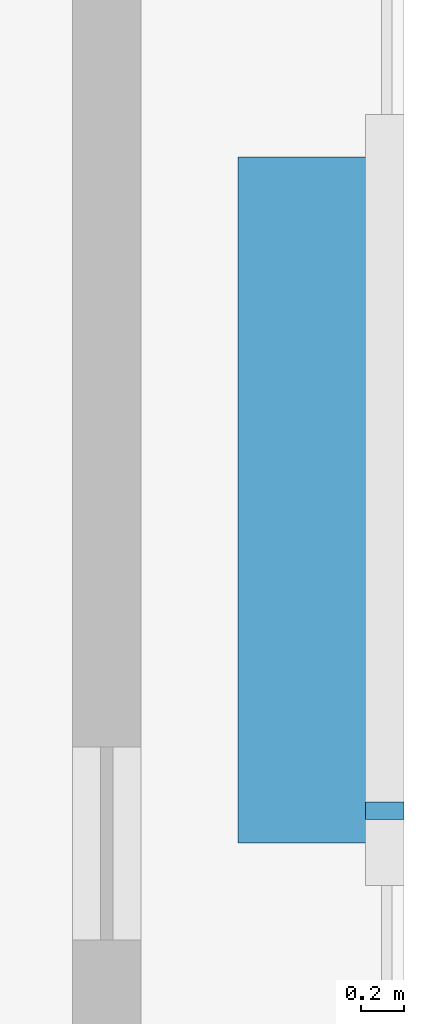
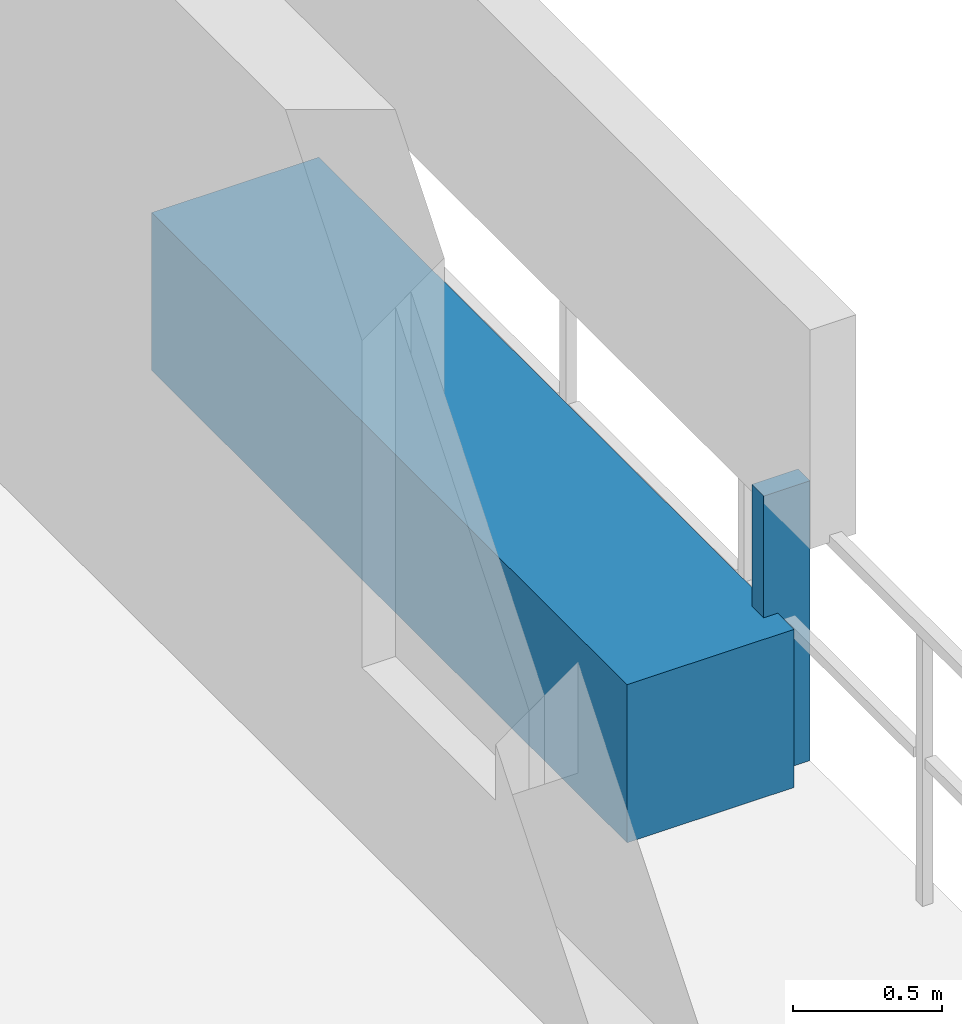
# One storey, part 31 of 35: 2 discrete accessories.
"""IFC4 building model written with IfcOpenShell, lengths in metres."""

from ifc_helpers import new_model, si_unit, direction, frame, origin, origin_2d, place, context, subcontext, project, spatial, rectangle, extrude, material, type_object, element, save


model = new_model("IFC4")

# Units and contexts
model_context = context("Model", 3, precision=1e-05, world=origin(), true_north=direction((0.0, 1.0)))
body_context = subcontext(model_context, "Body", "Model", "MODEL_VIEW")
ifc_project = project(units=[si_unit("LENGTHUNIT", "METRE"), si_unit("AREAUNIT", "SQUARE_METRE"), si_unit("VOLUMEUNIT", "CUBIC_METRE"), si_unit("PLANEANGLEUNIT", "RADIAN"), si_unit("MASSUNIT", "GRAM", prefix="KILO")], contexts=[model_context])

# Site, building, storey
site_placement = place(None, origin())
site = spatial("IfcSite", under=ifc_project, at=site_placement, CompositionType="ELEMENT")
building_placement = place(site_placement, origin())
building = spatial("IfcBuilding", under=site, at=building_placement, Name="Thornwick Lancets Civic Towers", CompositionType="ELEMENT")
storey_placement = place(building_placement, frame((0.0, 0.0, 265.5)))
storey = spatial("IfcBuildingStorey", under=building, at=storey_placement, Name="L71", CompositionType="ELEMENT", Elevation=265.5)

# Discrete accessories
ifc_material_1 = material(Name="Planted terracotta greenery planter", Category="masonry")
discrete_accessory_type_1 = type_object("IfcDiscreteAccessoryType", Name="ACC_PLANTER_BOX", PredefinedType="USERDEFINED", material=ifc_material_1)
discrete_accessory_1_placement = place(storey_placement, frame((113.199951171875, 27.0, 0.0), z_axis=(0.0, 0.0, 1.0), x_axis=(1.0, 0.0, 0.0)))
element("IfcDiscreteAccessory", 1, at=discrete_accessory_1_placement, inside=storey, type_object=discrete_accessory_type_1, Name="L71 Tower B Balcony Greenery Planter E", ObjectType="PLANTER", PredefinedType="USERDEFINED", context=body_context, shape_type="SweptSolid", body=[
    extrude(rectangle(XDim=0.64990234375, YDim=3.199951171875, at=origin_2d()), origin(), (0.0, 0.0, 1.0), 0.64990234375),
])
ifc_material_2 = material(Name="Stainless steel S355", Category="steel")
discrete_accessory_type_2 = type_object("IfcDiscreteAccessoryType", Name="ACC_SCREEN_BRACKET", PredefinedType="BRACKET", material=ifc_material_2)
discrete_accessory_2_placement = place(storey_placement, frame((113.56005859375, 25.550048828125, 0.0), z_axis=(0.0, 0.0, 1.0), x_axis=(0.0, 1.0, 0.0)))
element("IfcDiscreteAccessory", 2, at=discrete_accessory_2_placement, inside=storey, type_object=discrete_accessory_type_2, Name="L71 Tower B Balcony Screen Stanchion Bracket E-1", PredefinedType="BRACKET", context=body_context, shape_type="SweptSolid", body=[
    extrude(rectangle(XDim=0.080078125, YDim=0.179931640625, at=origin_2d()), origin(), (0.0, 0.0, 1.0), 1.14990234375),
])

save(model, "model.ifc")
